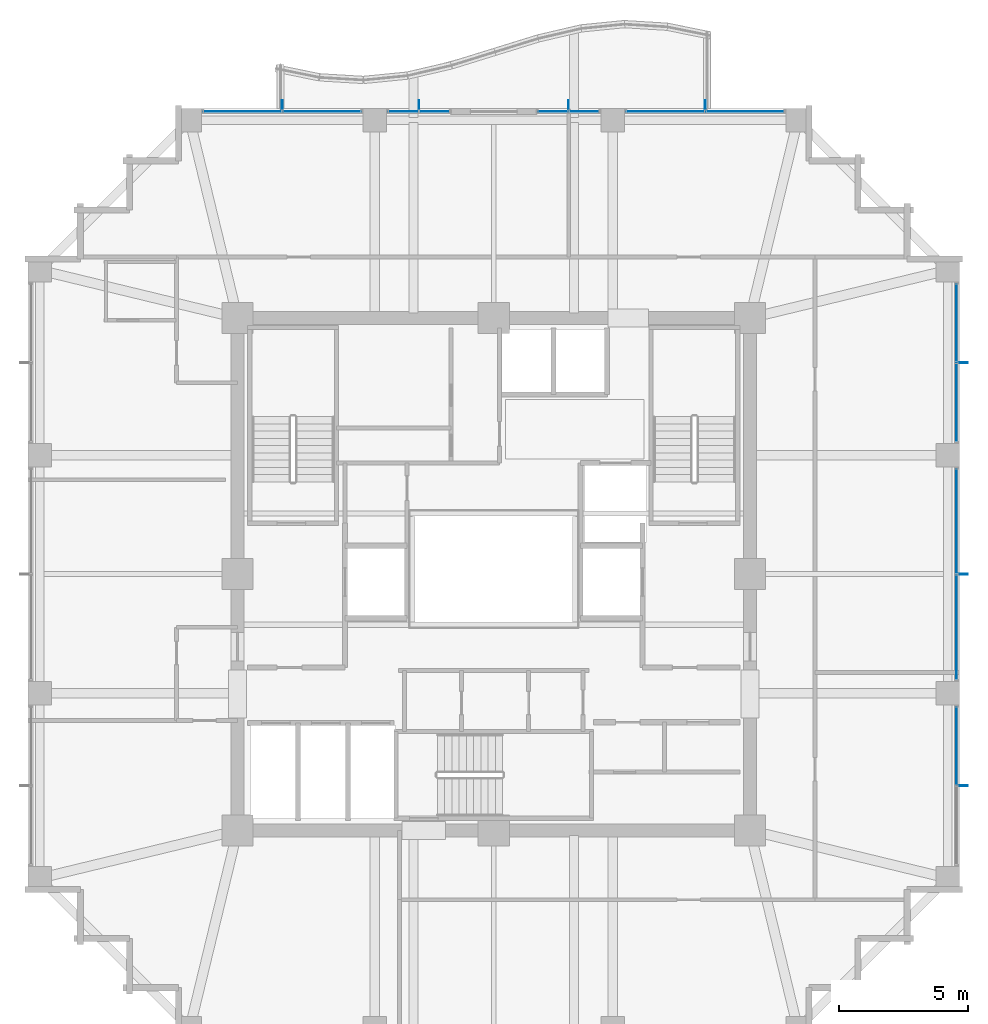
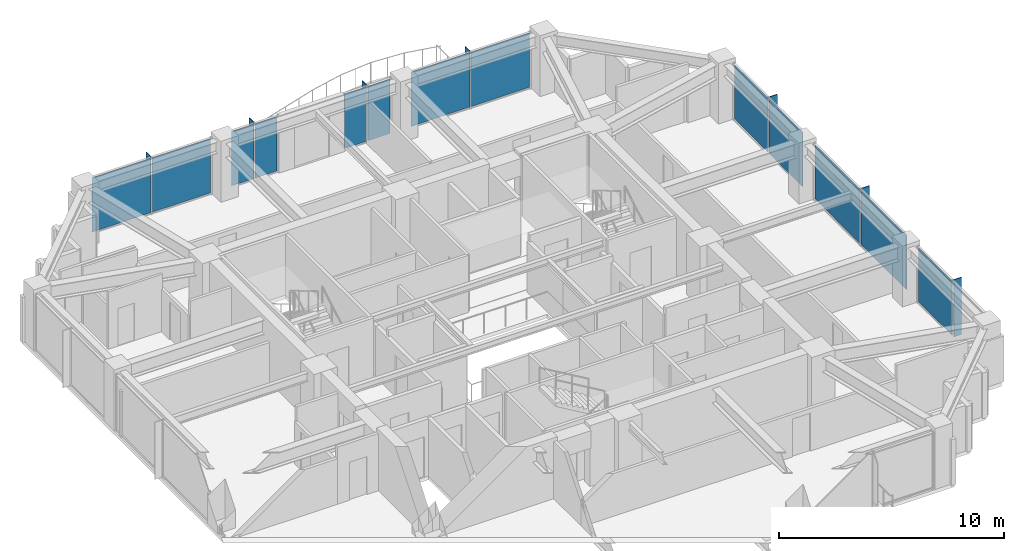
# One storey, part 25 of 31: 20 plates, 7 elements without a shape of their own.
"""IFC4 building model written with IfcOpenShell, lengths in metres."""

from ifc_helpers import new_model, si_unit, direction, frame, origin, origin_2d, place, context, subcontext, project, spatial, rectangle, extrude, material, layer, layer_set, type_object, element, aggregate, save


model = new_model("IFC4")

# Units and contexts
model_context = context("Model", 3, precision=1e-05, world=origin(), true_north=direction((0.0, 1.0)))
body_context = subcontext(model_context, "Body", "Model", "MODEL_VIEW")
ifc_project = project(units=[si_unit("LENGTHUNIT", "METRE"), si_unit("AREAUNIT", "SQUARE_METRE"), si_unit("VOLUMEUNIT", "CUBIC_METRE"), si_unit("PLANEANGLEUNIT", "RADIAN"), si_unit("MASSUNIT", "GRAM", prefix="KILO")], contexts=[model_context])

# Site, building, storey
site_placement = place(None, origin())
site = spatial("IfcSite", under=ifc_project, at=site_placement, CompositionType="ELEMENT")
building_placement = place(site_placement, origin())
building = spatial("IfcBuilding", under=site, at=building_placement, Name="Kolvaren Belvedere", CompositionType="ELEMENT")
storey_placement = place(building_placement, frame((0.0, 0.0, 131.60009765625)))
storey = spatial("IfcBuildingStorey", under=building, at=storey_placement, Name="L38", CompositionType="ELEMENT", Elevation=131.60009765625)

# Curtain wall, plates
ifc_material_1 = material(Name="Anodised pale-metal aluminium AA 6063-T6", Category="aluminium")
curtain_wall_type = type_object("IfcCurtainWallType", Name="CW-Z3-WAIST", PredefinedType="NOTDEFINED", material=ifc_material_1)
curtain_wall_1_placement = place(storey_placement, origin())
curtain_wall_1 = element("IfcCurtainWall", 1, at=curtain_wall_1_placement, inside=storey, type_object=curtain_wall_type, Name="L38 Unitised Curtain Wall FCW-L38-E-B1", PredefinedType="NOTDEFINED")
ifc_material_2 = material(Name="Low-iron triple insulated glass", Category="glass")
ifc_layer_1 = layer(ifc_material_2, 0.028076171875)
ifc_layer_set_1 = layer_set([ifc_layer_1], Name="Low-iron triple insulated glass")
plate_type_1 = type_object("IfcPlateType", Name="CW-PNL-VIS28", PredefinedType="CURTAIN_PANEL", material=ifc_layer_set_1)
plate_1_placement = place(storey_placement, frame((17.8798828125, 9.711181640625, 0.079833984375), z_axis=(0.0, 0.0, 1.0), x_axis=(0.0, -1.0, 0.0)))
plate_1 = element("IfcPlate", 2, at=plate_1_placement, type_object=plate_type_1, Name="FCW-L38-E-B1 Vision Glazing Panel 1", PredefinedType="CURTAIN_PANEL", context=body_context, shape_type="SweptSolid", body=[
    extrude(rectangle(XDim=2.992431640625, YDim=0.028076171875, at=origin_2d()), origin(), (0.0, 0.0, 1.0), 2.93994140625),
])
plate_2_placement = place(storey_placement, frame((17.8798828125, 6.638671875, 0.079833984375), z_axis=(0.0, 0.0, 1.0), x_axis=(0.0, -1.0, 0.0)))
plate_2 = element("IfcPlate", 3, at=plate_2_placement, type_object=plate_type_1, Name="FCW-L38-E-B1 Vision Glazing Panel 2", PredefinedType="CURTAIN_PANEL", context=body_context, shape_type="SweptSolid", body=[
    extrude(rectangle(XDim=2.992431640625, YDim=0.028076171875, at=origin_2d()), origin(), (0.0, 0.0, 1.0), 2.93994140625),
])
aggregate(curtain_wall_1, [plate_1, plate_2])

curtain_wall_2_placement = place(storey_placement, origin())
curtain_wall_2 = element("IfcCurtainWall", 4, at=curtain_wall_2_placement, inside=storey, type_object=curtain_wall_type, Name="L38 Unitised Curtain Wall FCW-L38-E-B2", PredefinedType="NOTDEFINED")
plate_3_placement = place(storey_placement, frame((17.8798828125, 2.048828125, 0.079833984375), z_axis=(0.0, 0.0, 1.0), x_axis=(0.0, -1.0, 0.0)))
plate_3 = element("IfcPlate", 5, at=plate_3_placement, type_object=plate_type_1, Name="FCW-L38-E-B2 Vision Glazing Panel 1", PredefinedType="CURTAIN_PANEL", context=body_context, shape_type="SweptSolid", body=[
    extrude(rectangle(XDim=4.017578125, YDim=0.028076171875, at=origin_2d()), origin(), (0.0, 0.0, 1.0), 2.93994140625),
])
plate_4_placement = place(storey_placement, frame((17.8798828125, -2.048828125, 0.079833984375), z_axis=(0.0, 0.0, 1.0), x_axis=(0.0, -1.0, 0.0)))
plate_4 = element("IfcPlate", 6, at=plate_4_placement, type_object=plate_type_1, Name="FCW-L38-E-B2 Vision Glazing Panel 2", PredefinedType="CURTAIN_PANEL", context=body_context, shape_type="SweptSolid", body=[
    extrude(rectangle(XDim=4.017578125, YDim=0.028076171875, at=origin_2d()), origin(), (0.0, 0.0, 1.0), 2.93994140625),
])
aggregate(curtain_wall_2, [plate_3, plate_4])

# Curtain wall, plate
curtain_wall_3_placement = place(storey_placement, origin())
curtain_wall_3 = element("IfcCurtainWall", 7, at=curtain_wall_3_placement, inside=storey, type_object=curtain_wall_type, Name="L38 Unitised Curtain Wall FCW-L38-E-B3", PredefinedType="NOTDEFINED")
plate_5_placement = place(storey_placement, frame((17.8798828125, -6.638671875, 0.079833984375), z_axis=(0.0, 0.0, 1.0), x_axis=(0.0, -1.0, 0.0)))
plate_5 = element("IfcPlate", 8, at=plate_5_placement, type_object=plate_type_1, Name="FCW-L38-E-B3 Vision Glazing Panel 1", PredefinedType="CURTAIN_PANEL", context=body_context, shape_type="SweptSolid", body=[
    extrude(rectangle(XDim=2.992431640625, YDim=0.028076171875, at=origin_2d()), origin(), (0.0, 0.0, 1.0), 2.93994140625),
])
aggregate(curtain_wall_3, [plate_5])

# Curtain wall, plates
curtain_wall_4_placement = place(storey_placement, origin())
curtain_wall_4 = element("IfcCurtainWall", 9, at=curtain_wall_4_placement, inside=storey, type_object=curtain_wall_type, Name="L38 Unitised Curtain Wall FCW-L38-N1-B1", PredefinedType="NOTDEFINED")
plate_6_placement = place(storey_placement, frame((-9.711181640625, 17.8798828125, 0.079833984375), z_axis=(0.0, 0.0, 1.0), x_axis=(1.0, 0.0, 0.0)))
plate_6 = element("IfcPlate", 10, at=plate_6_placement, type_object=plate_type_1, Name="FCW-L38-N1-B1 Vision Glazing Panel 1", PredefinedType="CURTAIN_PANEL", context=body_context, shape_type="SweptSolid", body=[
    extrude(rectangle(XDim=2.992431640625, YDim=0.028076171875, at=origin_2d()), origin(), (0.0, 0.0, 1.0), 2.93994140625),
])
plate_7_placement = place(storey_placement, frame((-6.638671875, 17.8798828125, 0.079833984375), z_axis=(0.0, 0.0, 1.0), x_axis=(1.0, 0.0, 0.0)))
plate_7 = element("IfcPlate", 11, at=plate_7_placement, type_object=plate_type_1, Name="FCW-L38-N1-B1 Vision Glazing Panel 2", PredefinedType="CURTAIN_PANEL", context=body_context, shape_type="SweptSolid", body=[
    extrude(rectangle(XDim=2.992431640625, YDim=0.028076171875, at=origin_2d()), origin(), (0.0, 0.0, 1.0), 2.93994140625),
])
aggregate(curtain_wall_4, [plate_6, plate_7])

curtain_wall_5_placement = place(storey_placement, origin())
curtain_wall_5 = element("IfcCurtainWall", 12, at=curtain_wall_5_placement, inside=storey, type_object=curtain_wall_type, Name="L38 Unitised Curtain Wall FCW-L38-N1-B2", PredefinedType="NOTDEFINED")
plate_8_placement = place(storey_placement, frame((-3.4931640625, 17.8798828125, 0.079833984375), z_axis=(0.0, 0.0, 1.0), x_axis=(1.0, 0.0, 0.0)))
plate_8 = element("IfcPlate", 13, at=plate_8_placement, type_object=plate_type_1, Name="FCW-L38-N1-B2 Vision Glazing Panel 1", PredefinedType="CURTAIN_PANEL", context=body_context, shape_type="SweptSolid", body=[
    extrude(rectangle(XDim=1.12890625, YDim=0.028076171875, at=origin_2d()), origin(), (0.0, 0.0, 1.0), 2.93994140625),
])
plate_9_placement = place(storey_placement, frame((-2.284423828125, 17.8798828125, 0.079833984375), z_axis=(0.0, 0.0, 1.0), x_axis=(1.0, 0.0, 0.0)))
plate_9 = element("IfcPlate", 14, at=plate_9_placement, type_object=plate_type_1, Name="FCW-L38-N1-B2 Vision Glazing Panel 2", PredefinedType="CURTAIN_PANEL", context=body_context, shape_type="SweptSolid", body=[
    extrude(rectangle(XDim=1.12890625, YDim=0.028076171875, at=origin_2d()), origin(), (0.0, 0.0, 1.0), 2.93994140625),
])
aggregate(curtain_wall_5, [plate_8, plate_9])

curtain_wall_6_placement = place(storey_placement, origin())
curtain_wall_6 = element("IfcCurtainWall", 15, at=curtain_wall_6_placement, inside=storey, type_object=curtain_wall_type, Name="L38 Unitised Curtain Wall FCW-L38-N2-B1", PredefinedType="NOTDEFINED")
plate_10_placement = place(storey_placement, frame((2.284423828125, 17.8798828125, 0.079833984375), z_axis=(0.0, 0.0, 1.0), x_axis=(1.0, 0.0, 0.0)))
plate_10 = element("IfcPlate", 16, at=plate_10_placement, type_object=plate_type_1, Name="FCW-L38-N2-B1 Vision Glazing Panel 1", PredefinedType="CURTAIN_PANEL", context=body_context, shape_type="SweptSolid", body=[
    extrude(rectangle(XDim=1.12890625, YDim=0.028076171875, at=origin_2d()), origin(), (0.0, 0.0, 1.0), 2.93994140625),
])
plate_11_placement = place(storey_placement, frame((3.4931640625, 17.8798828125, 0.079833984375), z_axis=(0.0, 0.0, 1.0), x_axis=(1.0, 0.0, 0.0)))
plate_11 = element("IfcPlate", 17, at=plate_11_placement, type_object=plate_type_1, Name="FCW-L38-N2-B1 Vision Glazing Panel 2", PredefinedType="CURTAIN_PANEL", context=body_context, shape_type="SweptSolid", body=[
    extrude(rectangle(XDim=1.12890625, YDim=0.028076171875, at=origin_2d()), origin(), (0.0, 0.0, 1.0), 2.93994140625),
])
aggregate(curtain_wall_6, [plate_10, plate_11])

curtain_wall_7_placement = place(storey_placement, origin())
curtain_wall_7 = element("IfcCurtainWall", 18, at=curtain_wall_7_placement, inside=storey, type_object=curtain_wall_type, Name="L38 Unitised Curtain Wall FCW-L38-N2-B2", PredefinedType="NOTDEFINED")
plate_12_placement = place(storey_placement, frame((6.638671875, 17.8798828125, 0.079833984375), z_axis=(0.0, 0.0, 1.0), x_axis=(1.0, 0.0, 0.0)))
plate_12 = element("IfcPlate", 19, at=plate_12_placement, type_object=plate_type_1, Name="FCW-L38-N2-B2 Vision Glazing Panel 1", PredefinedType="CURTAIN_PANEL", context=body_context, shape_type="SweptSolid", body=[
    extrude(rectangle(XDim=2.992431640625, YDim=0.028076171875, at=origin_2d()), origin(), (0.0, 0.0, 1.0), 2.93994140625),
])
plate_13_placement = place(storey_placement, frame((9.711181640625, 17.8798828125, 0.079833984375), z_axis=(0.0, 0.0, 1.0), x_axis=(1.0, 0.0, 0.0)))
plate_13 = element("IfcPlate", 20, at=plate_13_placement, type_object=plate_type_1, Name="FCW-L38-N2-B2 Vision Glazing Panel 2", PredefinedType="CURTAIN_PANEL", context=body_context, shape_type="SweptSolid", body=[
    extrude(rectangle(XDim=2.992431640625, YDim=0.028076171875, at=origin_2d()), origin(), (0.0, 0.0, 1.0), 2.93994140625),
])
aggregate(curtain_wall_7, [plate_12, plate_13])

# Plates
ifc_material_3 = material(Name="Anodised pale-metal aluminium AA 6063-T6", Category="aluminium")
ifc_layer_2 = layer(ifc_material_3, 0.033935546875)
ifc_layer_set_2 = layer_set([ifc_layer_2], Name="Anodised pale-metal aluminium AA 6063-T6")
plate_type_2 = type_object("IfcPlateType", Name="FIN-VERT-380", PredefinedType="USERDEFINED", material=ifc_layer_set_2)
for number, where, z_axis, x_axis, name in (
    (21, (18.1201171875, 8.175048828125, -0.000244140625), (0.0, 0.0, 1.0), (1.0, 0.0, 0.0), "L38 Pale-Metal Vertical Shading Fin FCW-L38-E-B1-1"),
    (22, (18.1201171875, 0.0, -0.000244140625), (0.0, 0.0, 1.0), (1.0, 0.0, 0.0), "L38 Pale-Metal Vertical Shading Fin FCW-L38-E-B2-1"),
    (23, (18.1201171875, -8.175048828125, -0.000244140625), (0.0, 0.0, 1.0), (1.0, 0.0, 0.0), "L38 Pale-Metal Vertical Shading Fin FCW-L38-E-B3-1"),
    (24, (-8.175048828125, 18.1201171875, -0.000244140625), (0.0, 0.0, 1.0), (0.0, 1.0, 0.0), "L38 Pale-Metal Vertical Shading Fin FCW-L38-N1-B1-1"),
    (25, (-2.888671875, 18.1201171875, -0.000244140625), (0.0, 0.0, 1.0), (0.0, 1.0, 0.0), "L38 Pale-Metal Vertical Shading Fin FCW-L38-N1-B2-1"),
    (26, (2.888671875, 18.1201171875, -0.000244140625), (0.0, 0.0, 1.0), (0.0, 1.0, 0.0), "L38 Pale-Metal Vertical Shading Fin FCW-L38-N2-B1-1"),
    (27, (8.175048828125, 18.1201171875, -0.000244140625), (0.0, 0.0, 1.0), (0.0, 1.0, 0.0), "L38 Pale-Metal Vertical Shading Fin FCW-L38-N2-B2-1"),
):
    element("IfcPlate", number, at=place(storey_placement, frame(where, z_axis=z_axis, x_axis=x_axis)), inside=storey, type_object=plate_type_2, Name=name, ObjectType="VERTICAL FIN", PredefinedType="USERDEFINED", context=body_context, shape_type="SweptSolid", body=[
        extrude(rectangle(XDim=0.3798828125, YDim=0.033935546875, at=origin_2d()), origin(), (0.0, 0.0, 1.0), 3.10009765625),
    ])

save(model, "model.ifc")
